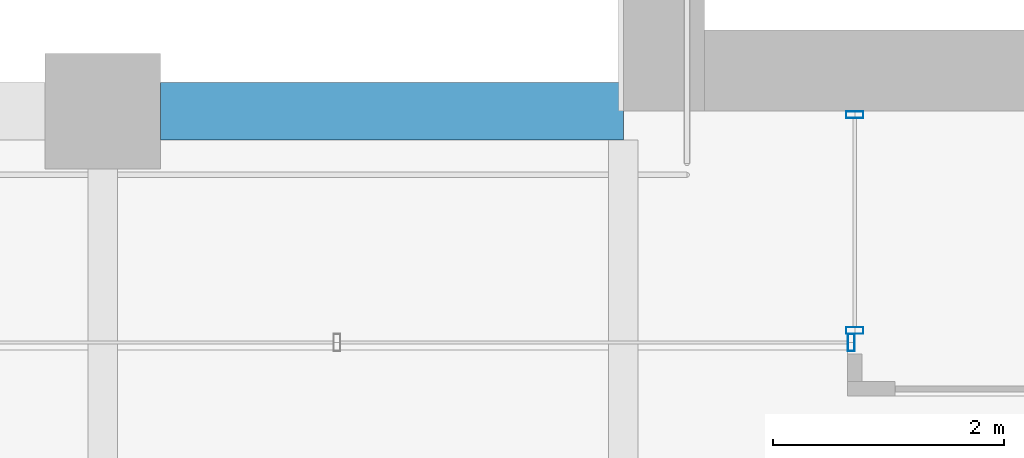
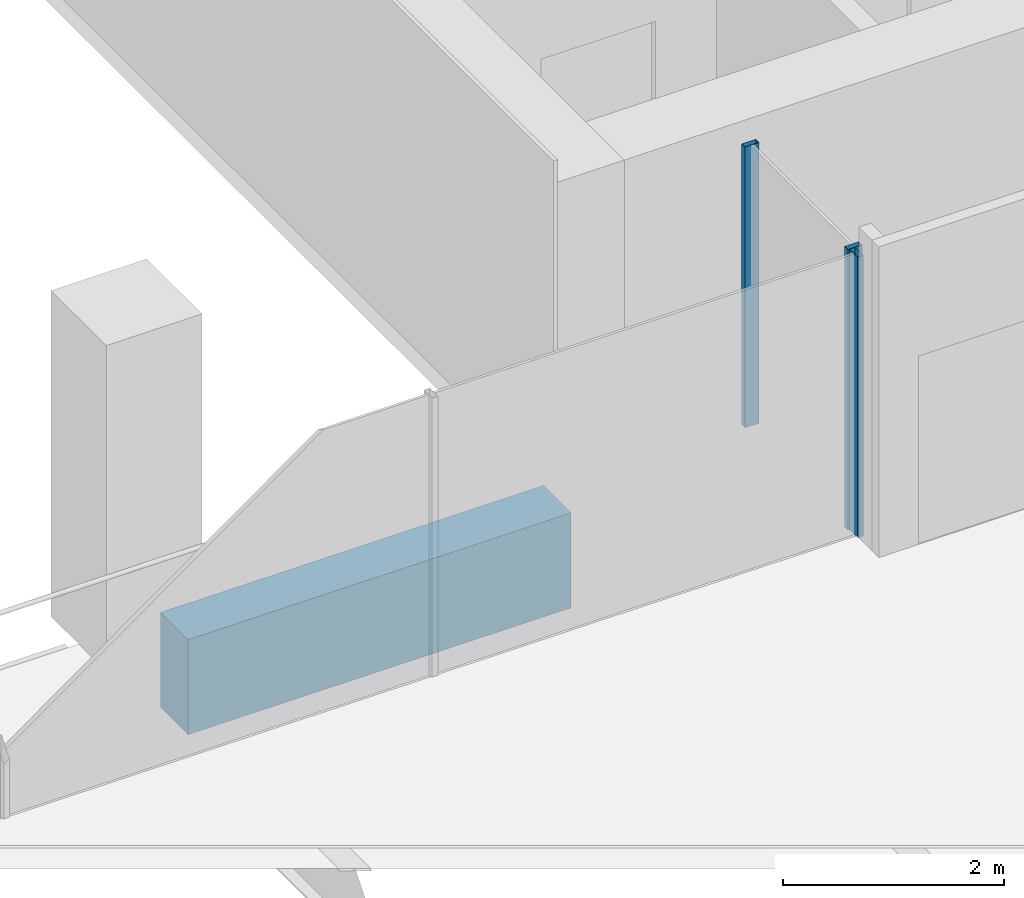
# One storey, part 6 of 47: 3 members, 1 beam, 2 elements without a shape of their own.
"""IFC4 building model written with IfcOpenShell, lengths in metres."""

from ifc_helpers import new_model, si_unit, direction, frame, origin, origin_2d, place, context, subcontext, project, spatial, rectangle, hollow_rectangle, extrude, material, material_profile, profile_set, type_object, element, aggregate, save


model = new_model("IFC4")

# Units and contexts
model_context = context("Model", 3, precision=1e-05, world=origin(), true_north=direction((0.0, 1.0)))
body_context = subcontext(model_context, "Body", "Model", "MODEL_VIEW")
ifc_project = project(units=[si_unit("LENGTHUNIT", "METRE"), si_unit("AREAUNIT", "SQUARE_METRE"), si_unit("VOLUMEUNIT", "CUBIC_METRE"), si_unit("PLANEANGLEUNIT", "RADIAN"), si_unit("MASSUNIT", "GRAM", prefix="KILO")], contexts=[model_context])

# Site, building, storey
site_placement = place(None, origin())
site = spatial("IfcSite", under=ifc_project, at=site_placement, CompositionType="ELEMENT")
building_placement = place(site_placement, origin())
building = spatial("IfcBuilding", under=site, at=building_placement, Name="Altepetl Exchange Towers", CompositionType="ELEMENT")
storey_placement = place(building_placement, frame((0.0, 0.0, 95.60009765625)))
storey = spatial("IfcBuildingStorey", under=building, at=storey_placement, Name="L23", CompositionType="ELEMENT", Elevation=95.60009765625)

# Curtain wall, members
ifc_material_1 = material(Name="Aluminium 6063-T6 glazing", Category="aluminium")
curtain_wall_type = type_object("IfcCurtainWallType", Name="Loggia glazing system", PredefinedType="NOTDEFINED", material=ifc_material_1)
curtain_wall_1_placement = place(storey_placement, origin())
curtain_wall_1 = element("IfcCurtainWall", 1, at=curtain_wall_1_placement, inside=storey, type_object=curtain_wall_type, Name="CW1 run", PredefinedType="NOTDEFINED")
ifc_material_2 = material(Name="Aluminium 6063-T6", Category="aluminium")
ifc_material_profile_1 = material_profile(ifc_material_2, hollow_rectangle(XDim=0.06005859375, YDim=0.14990234375, WallThickness=0.0029296875, at=origin_2d()), Name="Mullion 60x150 aluminium")
ifc_profile_set_1 = profile_set([ifc_material_profile_1], Name="Aluminium 6063-T6")
member_type = type_object("IfcMemberType", Name="Mullion 60x150 aluminium", PredefinedType="MULLION", material=ifc_profile_set_1)
member_1_placement = place(storey_placement, frame((42.5, 40.469970703125, 0.0), z_axis=(0.0, 0.0, 1.0), x_axis=(0.0, -1.0, 0.0)))
member_1 = element("IfcMember", 2, at=member_1_placement, type_object=member_type, Name="MU1 mullion", PredefinedType="MULLION", context=body_context, shape_type="SweptSolid", body=[
    extrude(hollow_rectangle(XDim=0.06005859375, YDim=0.14990234375, WallThickness=0.0029296875, at=origin_2d()), origin(), (0.0, 0.0, 1.0), 3.099853515625),
])
member_2_placement = place(storey_placement, frame((42.5, 38.60498046875, 0.0), z_axis=(0.0, 0.0, 1.0), x_axis=(0.0, -1.0, 0.0)))
member_2 = element("IfcMember", 3, at=member_2_placement, type_object=member_type, Name="MU1 mullion", PredefinedType="MULLION", context=body_context, shape_type="SweptSolid", body=[
    extrude(hollow_rectangle(XDim=0.06005859375, YDim=0.14990234375, WallThickness=0.0029296875, at=origin_2d()), origin(), (0.0, 0.0, 1.0), 3.099853515625),
])
aggregate(curtain_wall_1, [member_1, member_2])

# Curtain wall, member
curtain_wall_2_placement = place(storey_placement, origin())
curtain_wall_2 = element("IfcCurtainWall", 4, at=curtain_wall_2_placement, inside=storey, type_object=curtain_wall_type, Name="CW1 run", PredefinedType="NOTDEFINED")
member_3_placement = place(storey_placement, frame((42.469970703125, 38.5, 0.0), z_axis=(0.0, 0.0, 1.0), x_axis=(-1.0, 0.0, 0.0)))
member_3 = element("IfcMember", 5, at=member_3_placement, type_object=member_type, Name="MU1 mullion", PredefinedType="MULLION", context=body_context, shape_type="SweptSolid", body=[
    extrude(hollow_rectangle(XDim=0.06005859375, YDim=0.14990234375, WallThickness=0.0029296875, at=origin_2d()), origin(), (0.0, 0.0, 1.0), 3.099853515625),
])
aggregate(curtain_wall_2, [member_3])

# Beam
ifc_material_3 = material(Name="Concrete C50/60 precast with tezontle facing", Category="concrete")
ifc_material_profile_2 = material_profile(ifc_material_3, rectangle(XDim=0.5, YDim=1.050048828125, at=origin_2d()), Name="500 x 1050")
ifc_profile_set_2 = profile_set([ifc_material_profile_2], Name="Concrete C50/60 precast with tezontle facing")
beam_type = type_object("IfcBeamType", Name="Spandrel beam 500x1050 tezontle", PredefinedType="SPANDREL", material=ifc_profile_set_2)
beam_placement = place(storey_placement, frame((40.5, 40.5, -0.675048828125), z_axis=(-1.0, 0.0, 0.0), x_axis=(0.0, -1.0, 0.0)))
element("IfcBeam", 6, at=beam_placement, inside=storey, type_object=beam_type, Name="sp:A:L23:033", PredefinedType="SPANDREL", context=body_context, shape_type="SweptSolid", body=[
    extrude(rectangle(XDim=0.5, YDim=1.050048828125, at=origin_2d()), origin(), (0.0, 0.0, 1.0), 4.0),
])

save(model, "model.ifc")
